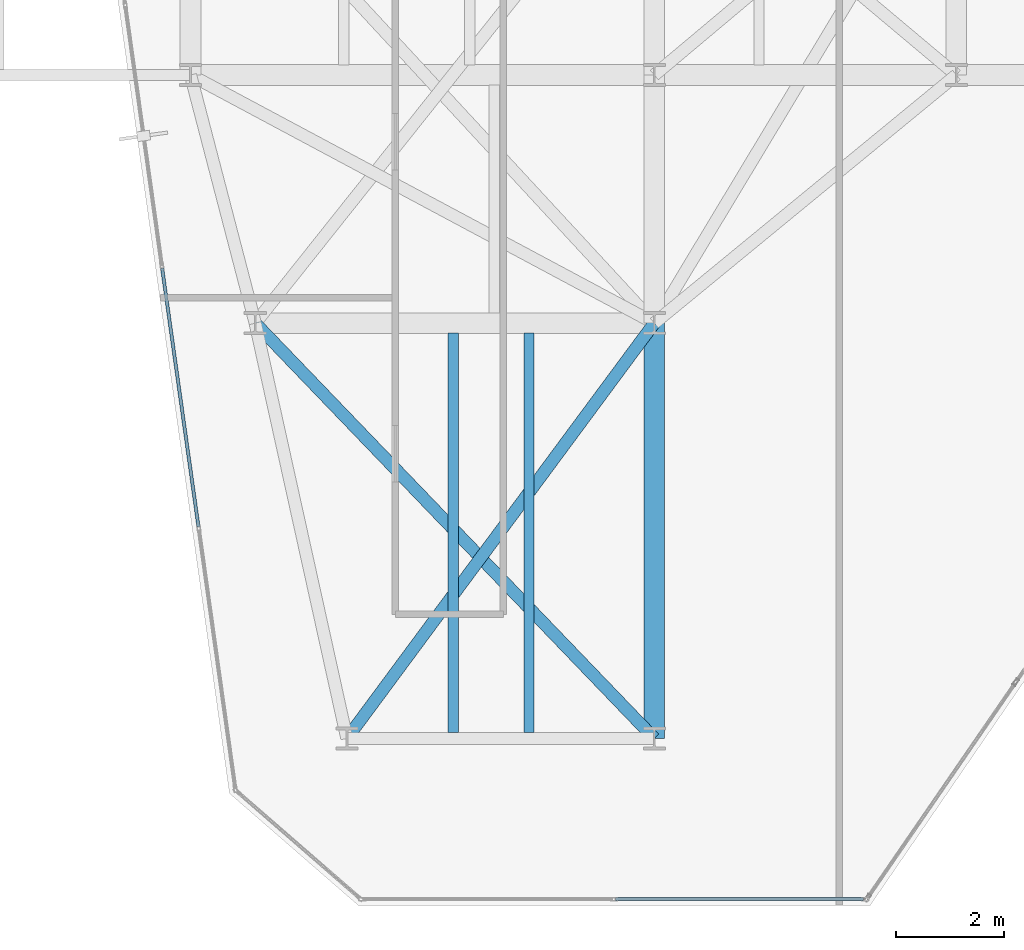
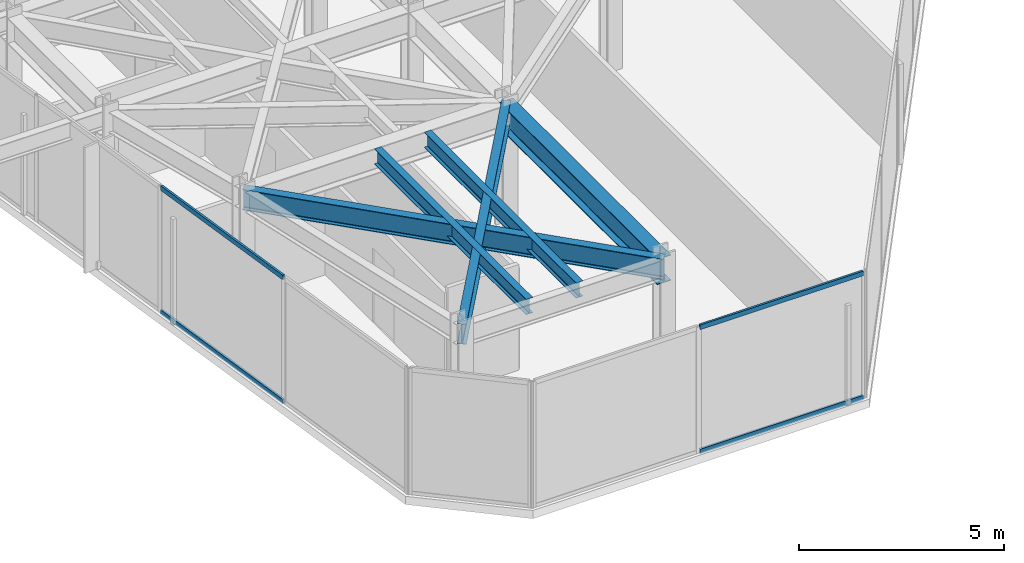
# One storey, part 3 of 27: 5 beams, 4 members, 2 elements without a shape of their own.
"""IFC4 building model written with IfcOpenShell, lengths in metres."""

from ifc_helpers import new_model, si_unit, direction, frame, origin, origin_2d, place, context, subcontext, project, spatial, hollow_rectangle, i_section, extrude, material, layer, layer_set, material_profile, profile_set, type_object, element, aggregate, save


model = new_model("IFC4")

# Units and contexts
model_context = context("Model", 3, precision=1e-05, world=origin(), true_north=direction((0.0, 1.0)))
body_context = subcontext(model_context, "Body", "Model", "MODEL_VIEW")
ifc_project = project(units=[si_unit("LENGTHUNIT", "METRE"), si_unit("AREAUNIT", "SQUARE_METRE"), si_unit("VOLUMEUNIT", "CUBIC_METRE"), si_unit("PLANEANGLEUNIT", "RADIAN"), si_unit("MASSUNIT", "GRAM", prefix="KILO")], contexts=[model_context])

# Site, building, storey
site_placement = place(None, origin())
site = spatial("IfcSite", under=ifc_project, at=site_placement, CompositionType="ELEMENT")
building_placement = place(site_placement, origin())
building = spatial("IfcBuilding", under=site, at=building_placement, Name="Kravanh Interchange Tower", CompositionType="ELEMENT")
storey_placement = place(building_placement, frame((0.0, 0.0, 188.5)))
storey = spatial("IfcBuildingStorey", under=building, at=storey_placement, Name="L45", CompositionType="ELEMENT", Elevation=188.5)

# Curtain wall, members
ifc_material_1 = material(Name="Anodised Bronze Aluminium", Category="aluminium")
ifc_layer = layer(ifc_material_1, 0.179931640625)
ifc_layer_set = layer_set([ifc_layer], Name="Unitised Curtain Wall System CW-Z3 Upper Office")
curtain_wall_type = type_object("IfcCurtainWallType", Name="Unitised Curtain Wall System CW-Z3 Upper Office", PredefinedType="NOTDEFINED", material=ifc_layer_set)
curtain_wall_1_placement = place(storey_placement, origin())
curtain_wall_1 = element("IfcCurtainWall", 1, at=curtain_wall_1_placement, inside=storey, type_object=curtain_wall_type, Name="L45 Unitised Curtain Wall CW-L45-01", PredefinedType="NOTDEFINED")
ifc_material_2 = material(Name="Anodised Bronze Aluminium", Category="aluminium")
ifc_material_profile_1 = material_profile(ifc_material_2, hollow_rectangle(XDim=0.06005859375, YDim=0.139892578125, WallThickness=0.00390625, at=origin_2d()), Name="ALU60X140X4")
ifc_profile_set_1 = profile_set([ifc_material_profile_1], Name="Anodised Bronze Aluminium")
member_type = type_object("IfcMemberType", Name="Curtain Wall Transom ALU60X140X4 Bronze", PredefinedType="USERDEFINED", material=ifc_profile_set_1)
member_1_placement = place(storey_placement, frame((18.748291015625, 18.42236328125, 0.030029296875), z_axis=(-0.139189127663, 0.990265816203, 0.0), x_axis=(-0.990265816203, -0.139189127663, 0.0)))
member_1 = element("IfcMember", 2, at=member_1_placement, type_object=member_type, Name="CW-Z3 transom 2.1", ObjectType="TRANSOM", PredefinedType="USERDEFINED", context=body_context, shape_type="SweptSolid", body=[
    extrude(hollow_rectangle(XDim=0.06005859375, YDim=0.139892578125, WallThickness=0.00390625, at=origin_2d()), origin(), (0.0, 0.0, 1.0), 4.83935546875),
])
member_2_placement = place(storey_placement, frame((18.748291015625, 18.42236328125, 3.72509765625), z_axis=(-0.139189127663, 0.990265816203, 0.0), x_axis=(-0.990265816203, -0.139189127663, 0.0)))
member_2 = element("IfcMember", 3, at=member_2_placement, type_object=member_type, Name="CW-Z3 transom 2.2", ObjectType="TRANSOM", PredefinedType="USERDEFINED", context=body_context, shape_type="SweptSolid", body=[
    extrude(hollow_rectangle(XDim=0.06005859375, YDim=0.139892578125, WallThickness=0.00390625, at=origin_2d()), origin(), (0.0, 0.0, 1.0), 4.83935546875),
])
aggregate(curtain_wall_1, [member_1, member_2])

curtain_wall_2_placement = place(storey_placement, origin())
curtain_wall_2 = element("IfcCurtainWall", 4, at=curtain_wall_2_placement, inside=storey, type_object=curtain_wall_type, Name="L45 Unitised Curtain Wall CW-L45-06", PredefinedType="NOTDEFINED")
member_3_placement = place(storey_placement, frame((31.076904296875, 11.52001953125, 0.030029296875), z_axis=(-1.0, 0.0, 0.0), x_axis=(0.0, -1.0, 0.0)))
member_3 = element("IfcMember", 5, at=member_3_placement, type_object=member_type, Name="CW-Z3 transom 1.1", ObjectType="TRANSOM", PredefinedType="USERDEFINED", context=body_context, shape_type="SweptSolid", body=[
    extrude(hollow_rectangle(XDim=0.06005859375, YDim=0.139892578125, WallThickness=0.00390625, at=origin_2d()), origin(), (0.0, 0.0, 1.0), 4.598876953125),
])
member_4_placement = place(storey_placement, frame((31.076904296875, 11.52001953125, 3.72509765625), z_axis=(-1.0, 0.0, 0.0), x_axis=(0.0, -1.0, 0.0)))
member_4 = element("IfcMember", 6, at=member_4_placement, type_object=member_type, Name="CW-Z3 transom 1.2", ObjectType="TRANSOM", PredefinedType="USERDEFINED", context=body_context, shape_type="SweptSolid", body=[
    extrude(hollow_rectangle(XDim=0.06005859375, YDim=0.139892578125, WallThickness=0.00390625, at=origin_2d()), origin(), (0.0, 0.0, 1.0), 4.598876953125),
])
aggregate(curtain_wall_2, [member_3, member_4])

# Beams
ifc_material_3 = material(Name="Structural Steel S355", Category="steel")
ifc_material_profile_2 = material_profile(ifc_material_3, i_section(OverallWidth=0.381103515625, OverallDepth=0.77294921875, WebThickness=0.0166015625, FlangeThickness=0.027099609375, FilletRadius=0.02490234375, at=origin_2d()), Name="W30X173")
ifc_profile_set_2 = profile_set([ifc_material_profile_2], Name="Structural Steel S355")
beam_type_1 = type_object("IfcBeamType", Name="Floor Beam W30X173 Structural Steel S355", PredefinedType="BEAM", material=ifc_profile_set_2)
beam_1_placement = place(storey_placement, frame((27.199951171875, 14.5, 3.368408203125), z_axis=(0.0, 1.0, 0.0), x_axis=(-1.0, 0.0, 0.0)))
element("IfcBeam", 7, at=beam_1_placement, inside=storey, type_object=beam_type_1, Name="L45 Primary Floor Girder 70", PredefinedType="BEAM", context=body_context, shape_type="SweptSolid", body=[
    extrude(i_section(OverallWidth=0.381103515625, OverallDepth=0.77294921875, WebThickness=0.0166015625, FlangeThickness=0.027099609375, FilletRadius=0.02490234375, at=origin_2d()), origin(), (0.0, 0.0, 1.0), 7.699951171875),
])
ifc_material_4 = material(Name="Structural Steel S355", Category="steel")
ifc_material_profile_3 = material_profile(ifc_material_4, i_section(OverallWidth=0.18994140625, OverallDepth=0.45703125, WebThickness=0.009033203125, FlangeThickness=0.014404296875, FilletRadius=0.01806640625, at=origin_2d()), Name="W18X50")
ifc_profile_set_3 = profile_set([ifc_material_profile_3], Name="Structural Steel S355")
beam_type_2 = type_object("IfcBeamType", Name="Floor Joist W18X50 Structural Steel S355", PredefinedType="JOIST", material=ifc_profile_set_3)
for number, where, z_axis, x_axis, name in (
    (8, (23.469970703125, 14.60888671875, 3.526611328125), (0.0, 1.0, 0.0), (-1.0, 0.0, 0.0), "L45 Secondary Floor Joist 1"),
    (9, (24.8779296875, 14.60888671875, 3.526611328125), (0.0, 1.0, 0.0), (-1.0, 0.0, 0.0), "L45 Secondary Floor Joist 2"),
):
    element("IfcBeam", number, at=place(storey_placement, frame(where, z_axis=z_axis, x_axis=x_axis)), inside=storey, type_object=beam_type_2, Name=name, PredefinedType="JOIST", context=body_context, shape_type="SweptSolid", body=[
        extrude(i_section(OverallWidth=0.18994140625, OverallDepth=0.45703125, WebThickness=0.009033203125, FlangeThickness=0.014404296875, FilletRadius=0.01806640625, at=origin_2d()), origin(), (0.0, 0.0, 1.0), 7.405517578125),
    ])
ifc_material_5 = material(Name="Structural Steel S355", Category="steel")
ifc_material_profile_4 = material_profile(ifc_material_5, i_section(OverallWidth=0.22802734375, OverallDepth=0.60791015625, WebThickness=0.01123046875, FlangeThickness=0.017333984375, FilletRadius=0.02197265625, at=origin_2d()), Name="W24X76")
ifc_profile_set_4 = profile_set([ifc_material_profile_4], Name="Structural Steel S355")
beam_type_3 = type_object("IfcBeamType", Name="Floor Spandrel W24X76 Structural Steel S355", PredefinedType="SPANDREL", material=ifc_profile_set_4)
beam_2_placement = place(storey_placement, frame((21.5, 14.5, 3.450927734375), z_axis=(0.59497703726, 0.803742698339, 0.0), x_axis=(-0.803742698339, 0.59497703726, 0.0)))
element("IfcBeam", 10, at=beam_2_placement, inside=storey, type_object=beam_type_3, Name="L45 Perimeter Spandrel 32", PredefinedType="SPANDREL", context=body_context, shape_type="SweptSolid", body=[
    extrude(i_section(OverallWidth=0.22802734375, OverallDepth=0.60791015625, WebThickness=0.01123046875, FlangeThickness=0.017333984375, FilletRadius=0.02197265625, at=origin_2d()), origin(), (0.0, 0.0, 1.0), 9.580078125),
])
beam_3_placement = place(storey_placement, frame((27.199951171875, 14.5, 3.450927734375), z_axis=(-0.692919091225, 0.721015348669, 0.0), x_axis=(-0.721015348669, -0.692919091225, 0.0)))
element("IfcBeam", 11, at=beam_3_placement, inside=storey, type_object=beam_type_3, Name="L45 Perimeter Spandrel 71", PredefinedType="SPANDREL", context=body_context, shape_type="SweptSolid", body=[
    extrude(i_section(OverallWidth=0.22802734375, OverallDepth=0.60791015625, WebThickness=0.01123046875, FlangeThickness=0.017333984375, FilletRadius=0.02197265625, at=origin_2d()), origin(), (0.0, 0.0, 1.0), 10.67919921875),
])

save(model, "model.ifc")
